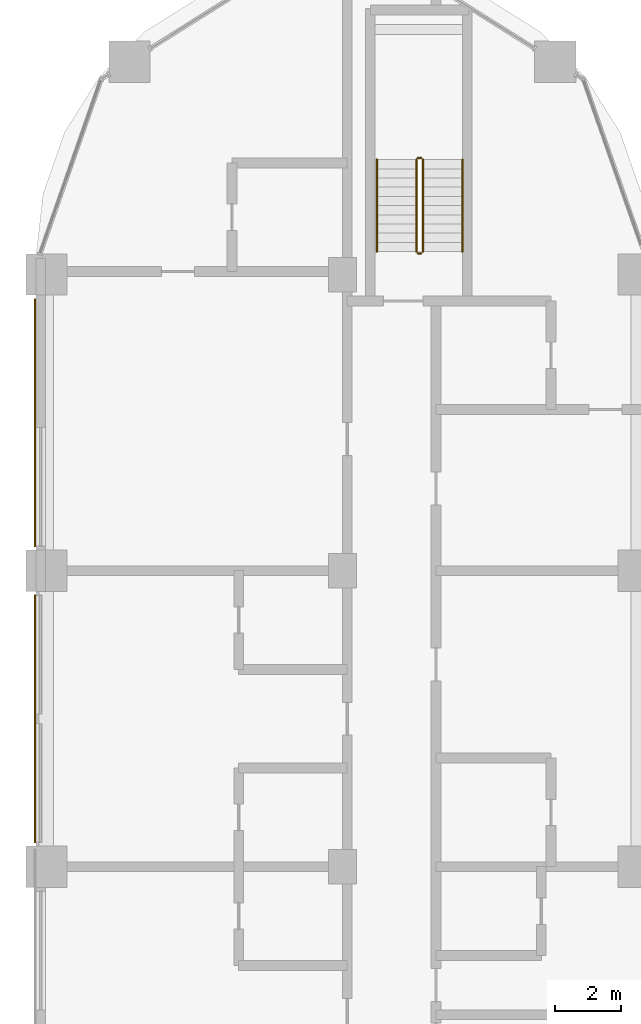
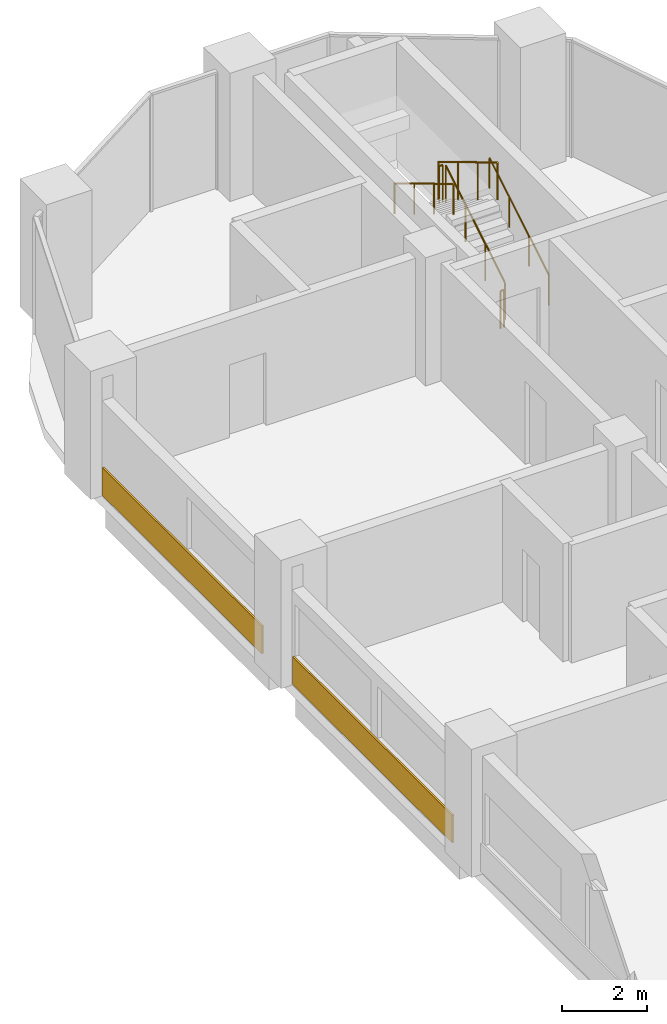
# One storey, part 32 of 33: 6 railings, 2 coverings.
"""IFC4 building model written with IfcOpenShell, lengths in metres."""

import ifcopenshell
import ifcopenshell.guid

model = None  # the IFC model being written
_history = None  # IfcOwnerHistory: only IFC2X3 demands one
_inside = {}  # id of a spatial element -> (the spatial element, [elements in it])
_under = {}  # id of a project, library or spatial element -> (it, [spatial elements below it])
_declared = {}  # id of a project -> (the project, [libraries it declares])
_typed = {}  # id of a type object -> (the type object, [elements of that type])
_made_of = {}  # id of a material, layer set ... -> (it, [elements and type objects made of it])


def new_model(schema):
    """Start an empty IFC model of exactly this schema.

    Asked for "IFC4X3", IfcOpenShell would pick the latest addendum, in which some entities
    have other attributes; the version numbers below select the first issue.
    IFC2X3 requires an IfcOwnerHistory on every rooted entity: one is made here for all.
    """
    global model, _history
    if schema == "IFC4X3":
        model = ifcopenshell.file(schema_version=(4, 3, 0, 0))
    else:
        model = ifcopenshell.file(schema=schema)
    _inside.clear()
    _under.clear()
    _declared.clear()
    _typed.clear()
    _made_of.clear()
    _history = None
    if model.schema == "IFC2X3":
        org = make("IfcOrganization", Name="unknown")
        user = make(
            "IfcPersonAndOrganization",
            ThePerson=make("IfcPerson", FamilyName="unknown"),
            TheOrganization=org,
        )
        app = make(
            "IfcApplication",
            ApplicationDeveloper=org,
            Version="unknown",
            ApplicationFullName="unknown",
            ApplicationIdentifier="unknown",
        )
        _history = make(
            "IfcOwnerHistory",
            OwningUser=user,
            OwningApplication=app,
            ChangeAction="ADDED",
            CreationDate=0,
        )
    return model


def make(cls, **values):
    """One entity of the class cls with the attributes given. An attribute that is None is left unset."""
    return model.create_entity(
        cls, **{name: value for name, value in values.items() if value is not None}
    )


def rooted(cls, **values):
    """An entity with a GlobalId (a new one), such as an element, a storey or a relation."""
    return make(cls, GlobalId=ifcopenshell.guid.new(), OwnerHistory=_history, **values)


def si_unit(unit_type, name, prefix=None):
    """IfcSIUnit, for example si_unit("LENGTHUNIT", "METRE", prefix="MILLI")."""
    return make("IfcSIUnit", UnitType=unit_type, Prefix=prefix, Name=name)


def assignment(units):
    """IfcUnitAssignment: the units of a project."""
    return None if units is None else make("IfcUnitAssignment", Units=units)


def point(xyz):
    """IfcCartesianPoint."""
    return None if xyz is None else make("IfcCartesianPoint", Coordinates=xyz)


def direction(xyz):
    """IfcDirection."""
    return None if xyz is None else make("IfcDirection", DirectionRatios=xyz)


def frame(location, z_axis=None, x_axis=None):
    """IfcAxis2Placement3D, a coordinate frame: its origin and axes. An axis left out is left unset."""
    return make(
        "IfcAxis2Placement3D",
        Location=point(location),
        Axis=direction(z_axis),
        RefDirection=direction(x_axis),
    )


def frame_2d(location, x_axis=None):
    """IfcAxis2Placement2D, a coordinate frame in the plane: its origin and x axis."""
    return make(
        "IfcAxis2Placement2D", Location=point(location), RefDirection=direction(x_axis)
    )


def origin():
    """The frame at (0, 0, 0) with its axes left unset."""
    return frame((0.0, 0.0, 0.0))


def origin_2d():
    """The frame at (0, 0) in the plane with its x axis left unset."""
    return frame_2d((0.0, 0.0))


def place(relative_to, where):
    """IfcLocalPlacement: puts the frame where relative to a parent placement (None: the world)."""
    return make(
        "IfcLocalPlacement", PlacementRelTo=relative_to, RelativePlacement=where
    )


def context(
    kind, dimensions, precision=None, world=None, true_north=None, identifier=None
):
    """IfcGeometricRepresentationContext, for example the 3D "Model" context."""
    return make(
        "IfcGeometricRepresentationContext",
        ContextIdentifier=identifier,
        ContextType=kind,
        CoordinateSpaceDimension=dimensions,
        Precision=precision,
        WorldCoordinateSystem=world,
        TrueNorth=true_north,
    )


def subcontext(parent, identifier, kind, view, scale=None):
    """IfcGeometricRepresentationSubContext, for example "Body" below "Model"."""
    return make(
        "IfcGeometricRepresentationSubContext",
        ContextIdentifier=identifier,
        ContextType=kind,
        ParentContext=parent,
        TargetScale=scale,
        TargetView=view,
    )


def project(units=None, contexts=None):
    """IfcProject with its units and contexts."""
    return rooted(
        "IfcProject",
        Name="project",
        RepresentationContexts=contexts,
        UnitsInContext=assignment(units),
    )


def spatial(cls, under=None, at=None, **own):
    """A site, building, storey or space (cls), placed at a placement, below another one or the project."""
    s = rooted(cls, ObjectPlacement=at, **own)
    if under is not None:
        _under.setdefault(under.id(), (under, []))[1].append(s)
    return s


def profile(cls, at=None, kind="AREA", **sizes):
    """A parametric profile (cls). Its sizes go by their IFC names, for example OverallWidth=200.0."""
    return make(cls, ProfileType=kind, Position=at, **sizes)


def rectangle(**sizes):
    """IfcRectangleProfileDef."""
    return profile("IfcRectangleProfileDef", **sizes)


def circle(**sizes):
    """IfcCircleProfileDef."""
    return profile("IfcCircleProfileDef", **sizes)


def extrude(swept, where, along, depth):
    """IfcExtrudedAreaSolid: the profile swept, set in the frame where, extruded along a direction by depth."""
    return make(
        "IfcExtrudedAreaSolid",
        SweptArea=swept,
        Position=where,
        ExtrudedDirection=direction(along),
        Depth=depth,
    )


def shape(context_of_items, identifier, shape_type, items):
    """IfcShapeRepresentation: the items that make up one representation, for example the "Body"."""
    return make(
        "IfcShapeRepresentation",
        ContextOfItems=context_of_items,
        RepresentationIdentifier=identifier,
        RepresentationType=shape_type,
        Items=items,
    )


def material(Name=None, Category=None):
    """IfcMaterial."""
    return make("IfcMaterial", Name=Name, Category=Category)


def layer(
    of_material, thickness, ventilated=None, Name=None, Category=None, Priority=None
):
    """IfcMaterialLayer: one layer of a wall or slab, of a material (None: an air gap)."""
    return make(
        "IfcMaterialLayer",
        Material=of_material,
        LayerThickness=thickness,
        IsVentilated=ventilated,
        Name=Name,
        Category=Category,
        Priority=Priority,
    )


def layer_set(layers, Name=None):
    """IfcMaterialLayerSet."""
    return make("IfcMaterialLayerSet", MaterialLayers=layers, LayerSetName=Name)


def made_of(thing, what):
    """Note that an element or type object is made of a material, layer set ...; save() writes the relation."""
    if what is not None:
        _made_of.setdefault(what.id(), (what, []))[1].append(thing)
    return thing


def type_object(cls, material=None, **own):
    """A type object (cls), such as IfcWallType, which elements share."""
    return made_of(rooted(cls, **own), material)


def element(
    cls,
    number,
    at=None,
    inside=None,
    cuts=None,
    type_object=None,
    material=None,
    context=None,
    identifier="Body",
    shape_type=None,
    held_by="IfcProductDefinitionShape",
    body=None,
    shapes=None,
    **own,
):
    """One element of the class cls, such as IfcWall. Its Tag is "e" and its number.

    at: its placement. inside: the storey or other place that contains it. cuts: it is an
    opening in that element (IfcRelVoidsElement). A single representation is given by context,
    identifier, shape_type and body (its items); several are given by shapes. held_by: the class
    of the entity that holds the representations. save() writes the other relations.
    """
    e = rooted(cls, Tag="e%d" % number, ObjectPlacement=at, **own)
    if body is not None:
        shapes = [shape(context, identifier, shape_type, body)]
    if shapes is not None:
        e.Representation = make(held_by, Representations=shapes)
    if inside is not None:
        _inside.setdefault(inside.id(), (inside, []))[1].append(e)
    if cuts is not None:
        rooted(
            "IfcRelVoidsElement", RelatingBuildingElement=cuts, RelatedOpeningElement=e
        )
    if type_object is not None:
        _typed.setdefault(type_object.id(), (type_object, []))[1].append(e)
    return made_of(e, material)


def aggregate(whole, parts):
    """IfcRelAggregates: a whole, such as a stair, and the parts it consists of."""
    return rooted("IfcRelAggregates", RelatingObject=whole, RelatedObjects=parts)


def save(model, path):
    """Write the relations noted so far, then the file.

    IfcRelAggregates (storeys below a building ...), IfcRelContainedInSpatialStructure (elements
    in a storey), IfcRelDefinesByType, IfcRelAssociatesMaterial and IfcRelDeclares: one each for
    every whole, place, type object, material and project.
    """
    for whole, parts in _under.values():
        aggregate(whole, parts)
    for where, things in _inside.values():
        rooted(
            "IfcRelContainedInSpatialStructure",
            RelatedElements=things,
            RelatingStructure=where,
        )
    for kind, things in _typed.values():
        rooted("IfcRelDefinesByType", RelatedObjects=things, RelatingType=kind)
    for what, things in _made_of.values():
        rooted("IfcRelAssociatesMaterial", RelatedObjects=things, RelatingMaterial=what)
    for by, libraries in _declared.values():
        rooted("IfcRelDeclares", RelatingContext=by, RelatedDefinitions=libraries)
    model.write(path)


model = new_model("IFC4")

# Units and contexts
model_context = context("Model", 3, precision=1e-05, world=origin(), true_north=direction((0.0, 1.0)))
body_context = subcontext(model_context, "Body", "Model", "MODEL_VIEW")
ifc_project = project(units=[si_unit("LENGTHUNIT", "METRE"), si_unit("AREAUNIT", "SQUARE_METRE"), si_unit("VOLUMEUNIT", "CUBIC_METRE"), si_unit("PLANEANGLEUNIT", "RADIAN"), si_unit("MASSUNIT", "GRAM", prefix="KILO")], contexts=[model_context])

# Site, building, storey
site_placement = place(None, origin())
site = spatial("IfcSite", under=ifc_project, at=site_placement, CompositionType="ELEMENT")
building_placement = place(site_placement, origin())
building = spatial("IfcBuilding", under=site, at=building_placement, Name="Ogive Portal Towers", CompositionType="ELEMENT")
storey_placement = place(building_placement, frame((0.0, 0.0, 101.89990234375)))
storey = spatial("IfcBuildingStorey", under=building, at=storey_placement, Name="L24", CompositionType="ELEMENT", Elevation=101.89990234375)

# Railings
ifc_material_1 = material(Name="Stainless steel balustrade", Category="steel")
railing_type_1 = type_object("IfcRailingType", Name="INT-GUARD", PredefinedType="GUARDRAIL", material=ifc_material_1)
railing_1_placement = place(storey_placement, frame((42.949951171875, 67.199951171875, 0.168212890625)))
element("IfcRailing", 1, at=railing_1_placement, inside=storey, type_object=railing_type_1, Name="L24 ST-A3 stair guard 1", PredefinedType="GUARDRAIL", context=body_context, shape_type="SweptSolid", body=[
    extrude(circle(Radius=0.02392578125, at=origin_2d()), frame((0.0, 0.0, 1.076171875), z_axis=(0.0, 0.857242210791, 0.514913383045), x_axis=(-1.0, 0.0, 0.0)), (0.0, 0.0, 1.0), 3.266357421875),
    extrude(circle(Radius=0.02099609375, at=origin_2d()), origin(), (0.0, 0.0, 1.0), 1.052001953125),
    extrude(circle(Radius=0.02099609375, at=origin_2d()), frame((0.0, 0.933349609375, 0.560546875)), (0.0, 0.0, 1.0), 1.052001953125),
    extrude(circle(Radius=0.02099609375, at=origin_2d()), frame((0.0, 1.86669921875, 1.121337890625)), (0.0, 0.0, 1.0), 1.052001953125),
    extrude(circle(Radius=0.02099609375, at=origin_2d()), frame((0.0, 2.800048828125, 1.681884765625)), (0.0, 0.0, 1.0), 1.052001953125),
])
railing_2_placement = place(storey_placement, frame((42.89990234375, 70.050048828125, 1.85009765625)))
element("IfcRailing", 2, at=railing_2_placement, inside=storey, type_object=railing_type_1, Name="L24 ST-A3 stair guard 2", PredefinedType="GUARDRAIL", context=body_context, shape_type="SweptSolid", body=[
    extrude(circle(Radius=0.02392578125, at=origin_2d()), frame((0.0, 0.0, 1.076171875), z_axis=(-1.0, 0.0, 0.0), x_axis=(0.0, -1.0, 0.0)), (0.0, 0.0, 1.0), 0.099853515625),
    extrude(circle(Radius=0.02099609375, at=origin_2d()), origin(), (0.0, 0.0, 1.0), 1.052001953125),
    extrude(circle(Radius=0.02099609375, at=origin_2d()), frame((-0.099853515625, 0.0, 0.0)), (0.0, 0.0, 1.0), 1.052001953125),
])
railing_3_placement = place(storey_placement, frame((42.75, 70.0, 2.018310546875)))
element("IfcRailing", 3, at=railing_3_placement, inside=storey, type_object=railing_type_1, Name="L24 ST-A3 stair guard 3", PredefinedType="GUARDRAIL", context=body_context, shape_type="SweptSolid", body=[
    extrude(circle(Radius=0.02392578125, at=origin_2d()), frame((0.0, 0.0, 1.076171875), z_axis=(0.0, -0.857242210791, 0.514913383045), x_axis=(1.0, 0.0, 0.0)), (0.0, 0.0, 1.0), 3.266357421875),
    extrude(circle(Radius=0.02099609375, at=origin_2d()), origin(), (0.0, 0.0, 1.0), 1.052001953125),
    extrude(circle(Radius=0.02099609375, at=origin_2d()), frame((0.0, -0.933349609375, 0.560546875)), (0.0, 0.0, 1.0), 1.052001953125),
    extrude(circle(Radius=0.02099609375, at=origin_2d()), frame((0.0, -1.86669921875, 1.121337890625)), (0.0, 0.0, 1.0), 1.052001953125),
    extrude(circle(Radius=0.02099609375, at=origin_2d()), frame((0.0, -2.800048828125, 1.681884765625)), (0.0, 0.0, 1.0), 1.052001953125),
])
railing_4_placement = place(storey_placement, frame((42.89990234375, 67.14990234375, 0.0)))
element("IfcRailing", 4, at=railing_4_placement, inside=storey, type_object=railing_type_1, Name="L24 ST-A3 stair guard 4", PredefinedType="GUARDRAIL", context=body_context, shape_type="SweptSolid", body=[
    extrude(circle(Radius=0.02392578125, at=origin_2d()), frame((0.0, 0.0, 1.076171875), z_axis=(-1.0, 0.0, 0.0), x_axis=(0.0, -1.0, 0.0)), (0.0, 0.0, 1.0), 0.099853515625),
    extrude(circle(Radius=0.02099609375, at=origin_2d()), origin(), (0.0, 0.0, 1.0), 1.052001953125),
    extrude(circle(Radius=0.02099609375, at=origin_2d()), frame((-0.099853515625, 0.0, 0.0)), (0.0, 0.0, 1.0), 1.052001953125),
])
ifc_material_2 = material(Name="Stainless steel handrail", Category="steel")
railing_type_2 = type_object("IfcRailingType", Name="INT-HANDRAIL", PredefinedType="HANDRAIL", material=ifc_material_2)
railing_5_placement = place(storey_placement, frame((44.14990234375, 67.199951171875, 0.168212890625)))
element("IfcRailing", 5, at=railing_5_placement, inside=storey, type_object=railing_type_2, Name="L24 ST-A3 stair handrail 1", PredefinedType="HANDRAIL", context=body_context, shape_type="SweptSolid", body=[
    extrude(circle(Radius=0.02392578125, at=origin_2d()), frame((0.0, 0.0, 0.8759765625), z_axis=(0.0, 0.857242210791, 0.514913383045), x_axis=(-1.0, 0.0, 0.0)), (0.0, 0.0, 1.0), 3.266357421875),
    extrude(circle(Radius=0.02099609375, at=origin_2d()), origin(), (0.0, 0.0, 1.0), 0.851806640625),
    extrude(circle(Radius=0.02099609375, at=origin_2d()), frame((0.0, 0.933349609375, 0.560546875)), (0.0, 0.0, 1.0), 0.851806640625),
    extrude(circle(Radius=0.02099609375, at=origin_2d()), frame((0.0, 1.86669921875, 1.121337890625)), (0.0, 0.0, 1.0), 0.851806640625),
    extrude(circle(Radius=0.02099609375, at=origin_2d()), frame((0.0, 2.800048828125, 1.681884765625)), (0.0, 0.0, 1.0), 0.851806640625),
])
railing_6_placement = place(storey_placement, frame((41.550048828125, 70.0, 2.018310546875)))
element("IfcRailing", 6, at=railing_6_placement, inside=storey, type_object=railing_type_2, Name="L24 ST-A3 stair handrail 2", PredefinedType="HANDRAIL", context=body_context, shape_type="SweptSolid", body=[
    extrude(circle(Radius=0.02392578125, at=origin_2d()), frame((0.0, 0.0, 0.8759765625), z_axis=(0.0, -0.857242210791, 0.514913383045), x_axis=(1.0, 0.0, 0.0)), (0.0, 0.0, 1.0), 3.266357421875),
    extrude(circle(Radius=0.02099609375, at=origin_2d()), origin(), (0.0, 0.0, 1.0), 0.851806640625),
    extrude(circle(Radius=0.02099609375, at=origin_2d()), frame((0.0, -0.933349609375, 0.560546875)), (0.0, 0.0, 1.0), 0.851806640625),
    extrude(circle(Radius=0.02099609375, at=origin_2d()), frame((0.0, -1.86669921875, 1.121337890625)), (0.0, 0.0, 1.0), 0.851806640625),
    extrude(circle(Radius=0.02099609375, at=origin_2d()), frame((0.0, -2.800048828125, 1.681884765625)), (0.0, 0.0, 1.0), 0.851806640625),
])

# Coverings
ifc_material_3 = material(Name="Limestone cladding on lightweight block wall", Category="masonry")
ifc_layer = layer(ifc_material_3, 0.050048828125)
ifc_layer_set = layer_set([ifc_layer], Name="SCREEN PERFORATED STONE")
covering_type = type_object("IfcCoveringType", Name="SCREEN PERFORATED STONE", PredefinedType="CLADDING", material=ifc_layer_set)
for number, where, z_axis, x_axis, name in (
    (7, (31.155029296875, 62.0, 0.10009765625), (0.0, 0.0, 1.0), (0.0, -1.0, 0.0), "Tracery screen"),
    (8, (31.155029296875, 53.0, 0.10009765625), (0.0, 0.0, 1.0), (0.0, -1.0, 0.0), "Tracery screen"),
):
    element("IfcCovering", number, at=place(storey_placement, frame(where, z_axis=z_axis, x_axis=x_axis)), inside=storey, type_object=covering_type, Name=name, PredefinedType="CLADDING", context=body_context, shape_type="SweptSolid", body=[
        extrude(rectangle(XDim=7.550048828125, YDim=0.050048828125, at=origin_2d()), origin(), (0.0, 0.0, 1.0), 0.800048828125),
    ])

save(model, "model.ifc")
